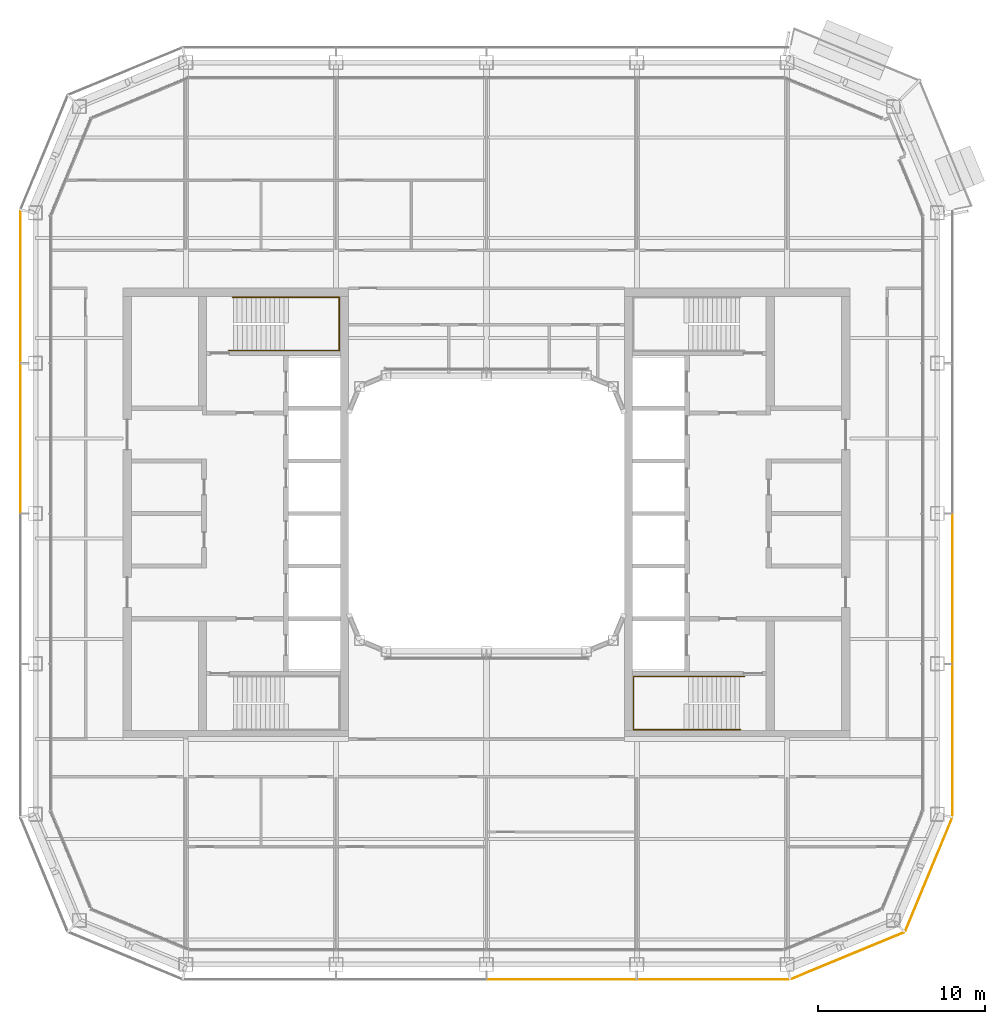
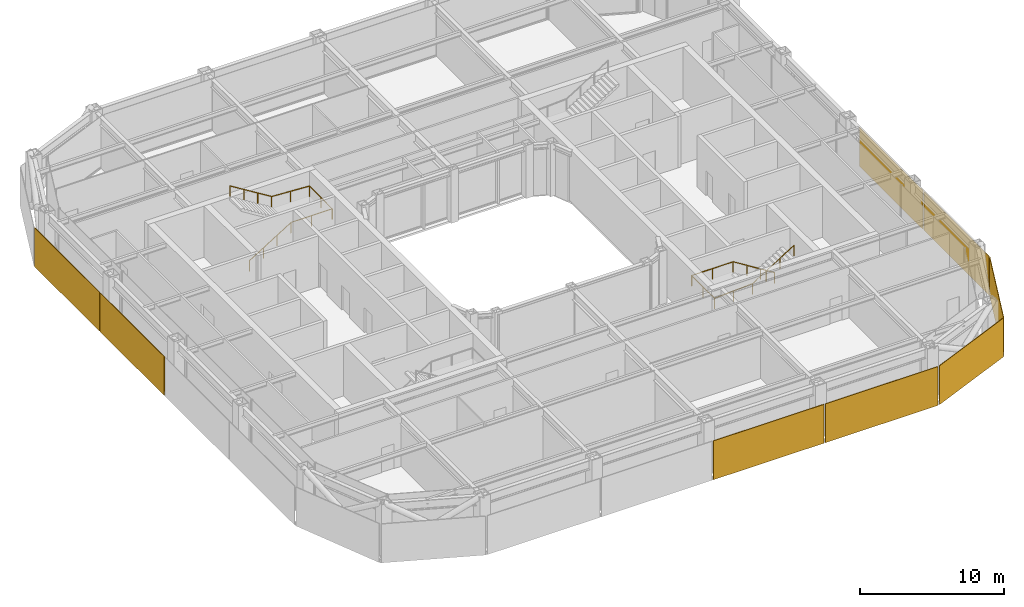
# One storey, part 20 of 23: 8 coverings, 2 railings.
"""IFC4 building model written with IfcOpenShell, lengths in metres."""

import ifcopenshell
import ifcopenshell.guid

model = None  # the IFC model being written
_history = None  # IfcOwnerHistory: only IFC2X3 demands one
_inside = {}  # id of a spatial element -> (the spatial element, [elements in it])
_under = {}  # id of a project, library or spatial element -> (it, [spatial elements below it])
_declared = {}  # id of a project -> (the project, [libraries it declares])
_typed = {}  # id of a type object -> (the type object, [elements of that type])
_made_of = {}  # id of a material, layer set ... -> (it, [elements and type objects made of it])


def new_model(schema):
    """Start an empty IFC model of exactly this schema.

    Asked for "IFC4X3", IfcOpenShell would pick the latest addendum, in which some entities
    have other attributes; the version numbers below select the first issue.
    IFC2X3 requires an IfcOwnerHistory on every rooted entity: one is made here for all.
    """
    global model, _history
    if schema == "IFC4X3":
        model = ifcopenshell.file(schema_version=(4, 3, 0, 0))
    else:
        model = ifcopenshell.file(schema=schema)
    _inside.clear()
    _under.clear()
    _declared.clear()
    _typed.clear()
    _made_of.clear()
    _history = None
    if model.schema == "IFC2X3":
        org = make("IfcOrganization", Name="unknown")
        user = make(
            "IfcPersonAndOrganization",
            ThePerson=make("IfcPerson", FamilyName="unknown"),
            TheOrganization=org,
        )
        app = make(
            "IfcApplication",
            ApplicationDeveloper=org,
            Version="unknown",
            ApplicationFullName="unknown",
            ApplicationIdentifier="unknown",
        )
        _history = make(
            "IfcOwnerHistory",
            OwningUser=user,
            OwningApplication=app,
            ChangeAction="ADDED",
            CreationDate=0,
        )
    return model


def make(cls, **values):
    """One entity of the class cls with the attributes given. An attribute that is None is left unset."""
    return model.create_entity(
        cls, **{name: value for name, value in values.items() if value is not None}
    )


def rooted(cls, **values):
    """An entity with a GlobalId (a new one), such as an element, a storey or a relation."""
    return make(cls, GlobalId=ifcopenshell.guid.new(), OwnerHistory=_history, **values)


def si_unit(unit_type, name, prefix=None):
    """IfcSIUnit, for example si_unit("LENGTHUNIT", "METRE", prefix="MILLI")."""
    return make("IfcSIUnit", UnitType=unit_type, Prefix=prefix, Name=name)


def assignment(units):
    """IfcUnitAssignment: the units of a project."""
    return None if units is None else make("IfcUnitAssignment", Units=units)


def point(xyz):
    """IfcCartesianPoint."""
    return None if xyz is None else make("IfcCartesianPoint", Coordinates=xyz)


def direction(xyz):
    """IfcDirection."""
    return None if xyz is None else make("IfcDirection", DirectionRatios=xyz)


def frame(location, z_axis=None, x_axis=None):
    """IfcAxis2Placement3D, a coordinate frame: its origin and axes. An axis left out is left unset."""
    return make(
        "IfcAxis2Placement3D",
        Location=point(location),
        Axis=direction(z_axis),
        RefDirection=direction(x_axis),
    )


def frame_2d(location, x_axis=None):
    """IfcAxis2Placement2D, a coordinate frame in the plane: its origin and x axis."""
    return make(
        "IfcAxis2Placement2D", Location=point(location), RefDirection=direction(x_axis)
    )


def origin():
    """The frame at (0, 0, 0) with its axes left unset."""
    return frame((0.0, 0.0, 0.0))


def origin_2d():
    """The frame at (0, 0) in the plane with its x axis left unset."""
    return frame_2d((0.0, 0.0))


def place(relative_to, where):
    """IfcLocalPlacement: puts the frame where relative to a parent placement (None: the world)."""
    return make(
        "IfcLocalPlacement", PlacementRelTo=relative_to, RelativePlacement=where
    )


def context(
    kind, dimensions, precision=None, world=None, true_north=None, identifier=None
):
    """IfcGeometricRepresentationContext, for example the 3D "Model" context."""
    return make(
        "IfcGeometricRepresentationContext",
        ContextIdentifier=identifier,
        ContextType=kind,
        CoordinateSpaceDimension=dimensions,
        Precision=precision,
        WorldCoordinateSystem=world,
        TrueNorth=true_north,
    )


def subcontext(parent, identifier, kind, view, scale=None):
    """IfcGeometricRepresentationSubContext, for example "Body" below "Model"."""
    return make(
        "IfcGeometricRepresentationSubContext",
        ContextIdentifier=identifier,
        ContextType=kind,
        ParentContext=parent,
        TargetScale=scale,
        TargetView=view,
    )


def project(units=None, contexts=None):
    """IfcProject with its units and contexts."""
    return rooted(
        "IfcProject",
        Name="project",
        RepresentationContexts=contexts,
        UnitsInContext=assignment(units),
    )


def spatial(cls, under=None, at=None, **own):
    """A site, building, storey or space (cls), placed at a placement, below another one or the project."""
    s = rooted(cls, ObjectPlacement=at, **own)
    if under is not None:
        _under.setdefault(under.id(), (under, []))[1].append(s)
    return s


def profile(cls, at=None, kind="AREA", **sizes):
    """A parametric profile (cls). Its sizes go by their IFC names, for example OverallWidth=200.0."""
    return make(cls, ProfileType=kind, Position=at, **sizes)


def rectangle(**sizes):
    """IfcRectangleProfileDef."""
    return profile("IfcRectangleProfileDef", **sizes)


def circle(**sizes):
    """IfcCircleProfileDef."""
    return profile("IfcCircleProfileDef", **sizes)


def extrude(swept, where, along, depth):
    """IfcExtrudedAreaSolid: the profile swept, set in the frame where, extruded along a direction by depth."""
    return make(
        "IfcExtrudedAreaSolid",
        SweptArea=swept,
        Position=where,
        ExtrudedDirection=direction(along),
        Depth=depth,
    )


def shape(context_of_items, identifier, shape_type, items):
    """IfcShapeRepresentation: the items that make up one representation, for example the "Body"."""
    return make(
        "IfcShapeRepresentation",
        ContextOfItems=context_of_items,
        RepresentationIdentifier=identifier,
        RepresentationType=shape_type,
        Items=items,
    )


def material(Name=None, Category=None):
    """IfcMaterial."""
    return make("IfcMaterial", Name=Name, Category=Category)


def layer(
    of_material, thickness, ventilated=None, Name=None, Category=None, Priority=None
):
    """IfcMaterialLayer: one layer of a wall or slab, of a material (None: an air gap)."""
    return make(
        "IfcMaterialLayer",
        Material=of_material,
        LayerThickness=thickness,
        IsVentilated=ventilated,
        Name=Name,
        Category=Category,
        Priority=Priority,
    )


def layer_set(layers, Name=None):
    """IfcMaterialLayerSet."""
    return make("IfcMaterialLayerSet", MaterialLayers=layers, LayerSetName=Name)


def made_of(thing, what):
    """Note that an element or type object is made of a material, layer set ...; save() writes the relation."""
    if what is not None:
        _made_of.setdefault(what.id(), (what, []))[1].append(thing)
    return thing


def type_object(cls, material=None, **own):
    """A type object (cls), such as IfcWallType, which elements share."""
    return made_of(rooted(cls, **own), material)


def element(
    cls,
    number,
    at=None,
    inside=None,
    cuts=None,
    type_object=None,
    material=None,
    context=None,
    identifier="Body",
    shape_type=None,
    held_by="IfcProductDefinitionShape",
    body=None,
    shapes=None,
    **own,
):
    """One element of the class cls, such as IfcWall. Its Tag is "e" and its number.

    at: its placement. inside: the storey or other place that contains it. cuts: it is an
    opening in that element (IfcRelVoidsElement). A single representation is given by context,
    identifier, shape_type and body (its items); several are given by shapes. held_by: the class
    of the entity that holds the representations. save() writes the other relations.
    """
    e = rooted(cls, Tag="e%d" % number, ObjectPlacement=at, **own)
    if body is not None:
        shapes = [shape(context, identifier, shape_type, body)]
    if shapes is not None:
        e.Representation = make(held_by, Representations=shapes)
    if inside is not None:
        _inside.setdefault(inside.id(), (inside, []))[1].append(e)
    if cuts is not None:
        rooted(
            "IfcRelVoidsElement", RelatingBuildingElement=cuts, RelatedOpeningElement=e
        )
    if type_object is not None:
        _typed.setdefault(type_object.id(), (type_object, []))[1].append(e)
    return made_of(e, material)


def aggregate(whole, parts):
    """IfcRelAggregates: a whole, such as a stair, and the parts it consists of."""
    return rooted("IfcRelAggregates", RelatingObject=whole, RelatedObjects=parts)


def save(model, path):
    """Write the relations noted so far, then the file.

    IfcRelAggregates (storeys below a building ...), IfcRelContainedInSpatialStructure (elements
    in a storey), IfcRelDefinesByType, IfcRelAssociatesMaterial and IfcRelDeclares: one each for
    every whole, place, type object, material and project.
    """
    for whole, parts in _under.values():
        aggregate(whole, parts)
    for where, things in _inside.values():
        rooted(
            "IfcRelContainedInSpatialStructure",
            RelatedElements=things,
            RelatingStructure=where,
        )
    for kind, things in _typed.values():
        rooted("IfcRelDefinesByType", RelatedObjects=things, RelatingType=kind)
    for what, things in _made_of.values():
        rooted("IfcRelAssociatesMaterial", RelatedObjects=things, RelatingMaterial=what)
    for by, libraries in _declared.values():
        rooted("IfcRelDeclares", RelatingContext=by, RelatedDefinitions=libraries)
    model.write(path)


model = new_model("IFC4")

# Units and contexts
model_context = context("Model", 3, precision=1e-05, world=origin(), true_north=direction((0.0, 1.0)))
body_context = subcontext(model_context, "Body", "Model", "MODEL_VIEW")
ifc_project = project(units=[si_unit("LENGTHUNIT", "METRE"), si_unit("AREAUNIT", "SQUARE_METRE"), si_unit("VOLUMEUNIT", "CUBIC_METRE"), si_unit("PLANEANGLEUNIT", "RADIAN"), si_unit("MASSUNIT", "GRAM", prefix="KILO")], contexts=[model_context])

# Site, building, storey
site_placement = place(None, origin())
site = spatial("IfcSite", under=ifc_project, at=site_placement, CompositionType="ELEMENT")
building_placement = place(site_placement, origin())
building = spatial("IfcBuilding", under=site, at=building_placement, Name="Siwar Civic Tower", CompositionType="ELEMENT")
storey_placement = place(building_placement, frame((0.0, 0.0, 224.199951171875)))
storey = spatial("IfcBuildingStorey", under=building, at=storey_placement, Name="L48", CompositionType="ELEMENT", Elevation=224.199951171875)

# Railings
ifc_material_1 = material(Name="Stainless steel", Category="steel")
railing_type = type_object("IfcRailingType", Name="CORE-STAIR-HANDRAIL", PredefinedType="HANDRAIL", material=ifc_material_1)
railing_1_placement = place(storey_placement, frame((-15.449951171875, 9.758056640625, 0.173095703125)))
element("IfcRailing", 1, at=railing_1_placement, inside=storey, type_object=railing_type, Name="Stair handrail ST1", PredefinedType="HANDRAIL", context=body_context, shape_type="SweptSolid", body=[
    extrude(circle(Radius=0.02001953125, at=origin_2d()), frame((0.0, 0.0, 0.8798828125), z_axis=(0.847063342986, 0.0, 0.531491950051), x_axis=(0.0, 1.0, 0.0)), (0.0, 0.0, 1.0), 3.90771484375),
    extrude(circle(Radius=0.02001953125, at=origin_2d()), frame((3.31005859375, 0.0, 2.956787109375), z_axis=(1.0, 0.0, 0.0), x_axis=(0.0, 1.0, 0.0)), (0.0, 0.0, 1.0), 3.331787109375),
    extrude(circle(Radius=0.02001953125, at=origin_2d()), frame((6.641845703125, 0.0, 2.956787109375), z_axis=(0.0, 1.0, 0.0), x_axis=(-1.0, 0.0, 0.0)), (0.0, 0.0, 1.0), 3.183837890625),
    extrude(circle(Radius=0.02001953125, at=origin_2d()), frame((6.641845703125, 3.183837890625, 2.956787109375), z_axis=(-0.99837434197, 0.0, 0.056997134106), x_axis=(0.0, -1.0, 0.0)), (0.0, 0.0, 1.0), 3.036865234375),
    extrude(circle(Radius=0.02001953125, at=origin_2d()), frame((3.60986328125, 3.183837890625, 3.1298828125), z_axis=(-0.850606129759, 0.0, 0.525803396734), x_axis=(0.0, -1.0, 0.0)), (0.0, 0.0, 1.0), 3.949951171875),
    extrude(circle(Radius=0.02001953125, at=origin_2d()), origin(), (0.0, 0.0, 1.0), 0.85986328125),
    extrude(circle(Radius=0.02001953125, at=origin_2d()), frame((1.103271484375, 0.0, 0.6923828125)), (0.0, 0.0, 1.0), 0.85986328125),
    extrude(circle(Radius=0.02001953125, at=origin_2d()), frame((2.206787109375, 0.0, 1.384521484375)), (0.0, 0.0, 1.0), 0.85986328125),
    extrude(circle(Radius=0.02001953125, at=origin_2d()), frame((3.31005859375, 0.0, 2.076904296875)), (0.0, 0.0, 1.0), 0.85986328125),
    extrude(circle(Radius=0.02001953125, at=origin_2d()), frame((4.97607421875, 0.0, 2.076904296875)), (0.0, 0.0, 1.0), 0.85986328125),
    extrude(circle(Radius=0.02001953125, at=origin_2d()), frame((6.641845703125, 0.0, 2.076904296875)), (0.0, 0.0, 1.0), 0.85986328125),
    extrude(circle(Radius=0.02001953125, at=origin_2d()), frame((6.641845703125, 1.591796875, 2.076904296875)), (0.0, 0.0, 1.0), 0.85986328125),
    extrude(circle(Radius=0.02001953125, at=origin_2d()), frame((6.641845703125, 3.183837890625, 2.076904296875)), (0.0, 0.0, 1.0), 0.85986328125),
    extrude(circle(Radius=0.02001953125, at=origin_2d()), frame((5.1259765625, 3.183837890625, 2.16357421875)), (0.0, 0.0, 1.0), 0.85986328125),
    extrude(circle(Radius=0.02001953125, at=origin_2d()), frame((3.60986328125, 3.183837890625, 2.25)), (0.0, 0.0, 1.0), 0.85986328125),
    extrude(circle(Radius=0.02001953125, at=origin_2d()), frame((2.489990234375, 3.183837890625, 2.9423828125)), (0.0, 0.0, 1.0), 0.85986328125),
    extrude(circle(Radius=0.02001953125, at=origin_2d()), frame((1.369873046875, 3.183837890625, 3.634521484375)), (0.0, 0.0, 1.0), 0.85986328125),
    extrude(circle(Radius=0.02001953125, at=origin_2d()), frame((0.25, 3.183837890625, 4.326904296875)), (0.0, 0.0, 1.0), 0.85986328125),
])
railing_2_placement = place(storey_placement, frame((15.449951171875, -9.758056640625, 0.173095703125)))
element("IfcRailing", 2, at=railing_2_placement, inside=storey, type_object=railing_type, Name="Stair handrail ST4", PredefinedType="HANDRAIL", context=body_context, shape_type="SweptSolid", body=[
    extrude(circle(Radius=0.02001953125, at=origin_2d()), frame((0.0, 0.0, 0.8798828125), z_axis=(-0.847063342986, 0.0, 0.531491950051), x_axis=(0.0, -1.0, 0.0)), (0.0, 0.0, 1.0), 3.90771484375),
    extrude(circle(Radius=0.02001953125, at=origin_2d()), frame((-3.31005859375, 0.0, 2.956787109375), z_axis=(-1.0, 0.0, 0.0), x_axis=(0.0, -1.0, 0.0)), (0.0, 0.0, 1.0), 3.331787109375),
    extrude(circle(Radius=0.02001953125, at=origin_2d()), frame((-6.641845703125, 0.0, 2.956787109375), z_axis=(0.0, -1.0, 0.0), x_axis=(1.0, 0.0, 0.0)), (0.0, 0.0, 1.0), 3.183837890625),
    extrude(circle(Radius=0.02001953125, at=origin_2d()), frame((-6.641845703125, -3.183837890625, 2.956787109375), z_axis=(0.99837434197, 0.0, 0.056997134106), x_axis=(0.0, 1.0, 0.0)), (0.0, 0.0, 1.0), 3.036865234375),
    extrude(circle(Radius=0.02001953125, at=origin_2d()), frame((-3.60986328125, -3.183837890625, 3.1298828125), z_axis=(0.850606129759, 0.0, 0.525803396734), x_axis=(0.0, 1.0, 0.0)), (0.0, 0.0, 1.0), 3.949951171875),
    extrude(circle(Radius=0.02001953125, at=origin_2d()), origin(), (0.0, 0.0, 1.0), 0.85986328125),
    extrude(circle(Radius=0.02001953125, at=origin_2d()), frame((-1.103271484375, 0.0, 0.6923828125)), (0.0, 0.0, 1.0), 0.85986328125),
    extrude(circle(Radius=0.02001953125, at=origin_2d()), frame((-2.206787109375, 0.0, 1.384521484375)), (0.0, 0.0, 1.0), 0.85986328125),
    extrude(circle(Radius=0.02001953125, at=origin_2d()), frame((-3.31005859375, 0.0, 2.076904296875)), (0.0, 0.0, 1.0), 0.85986328125),
    extrude(circle(Radius=0.02001953125, at=origin_2d()), frame((-4.97607421875, 0.0, 2.076904296875)), (0.0, 0.0, 1.0), 0.85986328125),
    extrude(circle(Radius=0.02001953125, at=origin_2d()), frame((-6.641845703125, 0.0, 2.076904296875)), (0.0, 0.0, 1.0), 0.85986328125),
    extrude(circle(Radius=0.02001953125, at=origin_2d()), frame((-6.641845703125, -1.591796875, 2.076904296875)), (0.0, 0.0, 1.0), 0.85986328125),
    extrude(circle(Radius=0.02001953125, at=origin_2d()), frame((-6.641845703125, -3.183837890625, 2.076904296875)), (0.0, 0.0, 1.0), 0.85986328125),
    extrude(circle(Radius=0.02001953125, at=origin_2d()), frame((-5.1259765625, -3.183837890625, 2.16357421875)), (0.0, 0.0, 1.0), 0.85986328125),
    extrude(circle(Radius=0.02001953125, at=origin_2d()), frame((-3.60986328125, -3.183837890625, 2.25)), (0.0, 0.0, 1.0), 0.85986328125),
    extrude(circle(Radius=0.02001953125, at=origin_2d()), frame((-2.489990234375, -3.183837890625, 2.9423828125)), (0.0, 0.0, 1.0), 0.85986328125),
    extrude(circle(Radius=0.02001953125, at=origin_2d()), frame((-1.369873046875, -3.183837890625, 3.634521484375)), (0.0, 0.0, 1.0), 0.85986328125),
    extrude(circle(Radius=0.02001953125, at=origin_2d()), frame((-0.25, -3.183837890625, 4.326904296875)), (0.0, 0.0, 1.0), 0.85986328125),
])

# Coverings
ifc_material_2 = material(Name="Perforated aluminium cassette, pale metal", Category="aluminium")
ifc_layer_1 = layer(ifc_material_2, 0.0400390625)
ifc_layer_set_1 = layer_set([ifc_layer_1], Name="Perforated aluminium cassette, pale metal")
covering_type_1 = type_object("IfcCoveringType", Name="ENV-OUTER SKIN OS-1", PredefinedType="CLADDING", material=ifc_layer_set_1)
covering_1_placement = place(storey_placement, frame((27.89990234375, -13.57958984375, -0.14990234375), z_axis=(0.0, 0.0, 1.0), x_axis=(0.0, 1.0, 0.0)))
element("IfcCovering", 3, at=covering_1_placement, inside=storey, type_object=covering_type_1, Name="OUTER SKIN OS-1 E 1", PredefinedType="CLADDING", context=body_context, shape_type="SweptSolid", body=[
    extrude(rectangle(XDim=9.05908203125, YDim=0.0400390625, at=origin_2d()), origin(), (0.0, 0.0, 1.0), 3.300048828125),
])
covering_2_placement = place(storey_placement, frame((27.89990234375, -4.5, -0.14990234375), z_axis=(0.0, 0.0, 1.0), x_axis=(0.0, 1.0, 0.0)))
element("IfcCovering", 4, at=covering_2_placement, inside=storey, type_object=covering_type_1, Name="OUTER SKIN OS-1 E 2", PredefinedType="CLADDING", context=body_context, shape_type="SweptSolid", body=[
    extrude(rectangle(XDim=8.89990234375, YDim=0.0400390625, at=origin_2d()), origin(), (0.0, 0.0, 1.0), 3.300048828125),
])
ifc_material_3 = material(Name="Perforated aluminium cassette, pale metal", Category="aluminium")
ifc_layer_2 = layer(ifc_material_3, 0.044921875)
ifc_layer_set_2 = layer_set([ifc_layer_2], Name="Perforated aluminium cassette, pale metal")
covering_type_2 = type_object("IfcCoveringType", Name="ENV-OUTER SKIN OS-2", PredefinedType="CLADDING", material=ifc_layer_set_2)
covering_3_placement = place(storey_placement, frame((26.476318359375, -21.615966796875, -0.14990234375), z_axis=(0.0, 0.0, 1.0), x_axis=(0.382683432365, 0.923879532511, 0.0)))
element("IfcCovering", 5, at=covering_3_placement, inside=storey, type_object=covering_type_2, Name="OUTER SKIN OS-2 SE2 1", PredefinedType="CLADDING", context=body_context, shape_type="SweptSolid", body=[
    extrude(rectangle(XDim=7.300048828125, YDim=0.044921875, at=origin_2d()), origin(), (0.0, 0.0, 1.0), 3.300048828125),
])
ifc_material_4 = material(Name="Perforated aluminium cassette, pale metal", Category="aluminium")
ifc_layer_3 = layer(ifc_material_4, 0.050048828125)
ifc_layer_set_3 = layer_set([ifc_layer_3], Name="Perforated aluminium cassette, pale metal")
covering_type_3 = type_object("IfcCoveringType", Name="ENV-OUTER SKIN OS-3", PredefinedType="CLADDING", material=ifc_layer_set_3)
covering_4_placement = place(storey_placement, frame((21.615966796875, -26.476318359375, -0.14990234375), z_axis=(0.0, 0.0, 1.0), x_axis=(0.923879532511, 0.382683432365, 0.0)))
element("IfcCovering", 6, at=covering_4_placement, inside=storey, type_object=covering_type_3, Name="OUTER SKIN OS-3 SE1 1", PredefinedType="CLADDING", context=body_context, shape_type="SweptSolid", body=[
    extrude(rectangle(XDim=7.300048828125, YDim=0.050048828125, at=origin_2d()), origin(), (0.0, 0.0, 1.0), 3.300048828125),
])
covering_5_placement = place(storey_placement, frame((-27.89990234375, 13.57958984375, -0.14990234375), z_axis=(0.0, 0.0, 1.0), x_axis=(0.0, -1.0, 0.0)))
element("IfcCovering", 7, at=covering_5_placement, inside=storey, type_object=covering_type_3, Name="OUTER SKIN OS-3 W 1", PredefinedType="CLADDING", context=body_context, shape_type="SweptSolid", body=[
    extrude(rectangle(XDim=9.05908203125, YDim=0.050048828125, at=origin_2d()), origin(), (0.0, 0.0, 1.0), 3.300048828125),
])
covering_6_placement = place(storey_placement, frame((-27.89990234375, 4.5, -0.14990234375), z_axis=(0.0, 0.0, 1.0), x_axis=(0.0, -1.0, 0.0)))
element("IfcCovering", 8, at=covering_6_placement, inside=storey, type_object=covering_type_3, Name="OUTER SKIN OS-3 W 2", PredefinedType="CLADDING", context=body_context, shape_type="SweptSolid", body=[
    extrude(rectangle(XDim=8.89990234375, YDim=0.050048828125, at=origin_2d()), origin(), (0.0, 0.0, 1.0), 3.300048828125),
])
ifc_material_5 = material(Name="Perforated aluminium cassette, pale metal", Category="aluminium")
ifc_layer_4 = layer(ifc_material_5, 0.054931640625)
ifc_layer_set_4 = layer_set([ifc_layer_4], Name="Perforated aluminium cassette, pale metal")
covering_type_4 = type_object("IfcCoveringType", Name="ENV-OUTER SKIN OS-4", PredefinedType="CLADDING", material=ifc_layer_set_4)
covering_7_placement = place(storey_placement, frame((4.5, -27.89990234375, -0.14990234375), z_axis=(0.0, 0.0, 1.0), x_axis=(1.0, 0.0, 0.0)))
element("IfcCovering", 9, at=covering_7_placement, inside=storey, type_object=covering_type_4, Name="OUTER SKIN OS-4 S 3", PredefinedType="CLADDING", context=body_context, shape_type="SweptSolid", body=[
    extrude(rectangle(XDim=8.89990234375, YDim=0.054931640625, at=origin_2d()), origin(), (0.0, 0.0, 1.0), 3.300048828125),
])
covering_8_placement = place(storey_placement, frame((13.57958984375, -27.89990234375, -0.14990234375), z_axis=(0.0, 0.0, 1.0), x_axis=(1.0, 0.0, 0.0)))
element("IfcCovering", 10, at=covering_8_placement, inside=storey, type_object=covering_type_4, Name="OUTER SKIN OS-4 S 4", PredefinedType="CLADDING", context=body_context, shape_type="SweptSolid", body=[
    extrude(rectangle(XDim=9.05908203125, YDim=0.054931640625, at=origin_2d()), origin(), (0.0, 0.0, 1.0), 3.300048828125),
])

save(model, "model.ifc")
